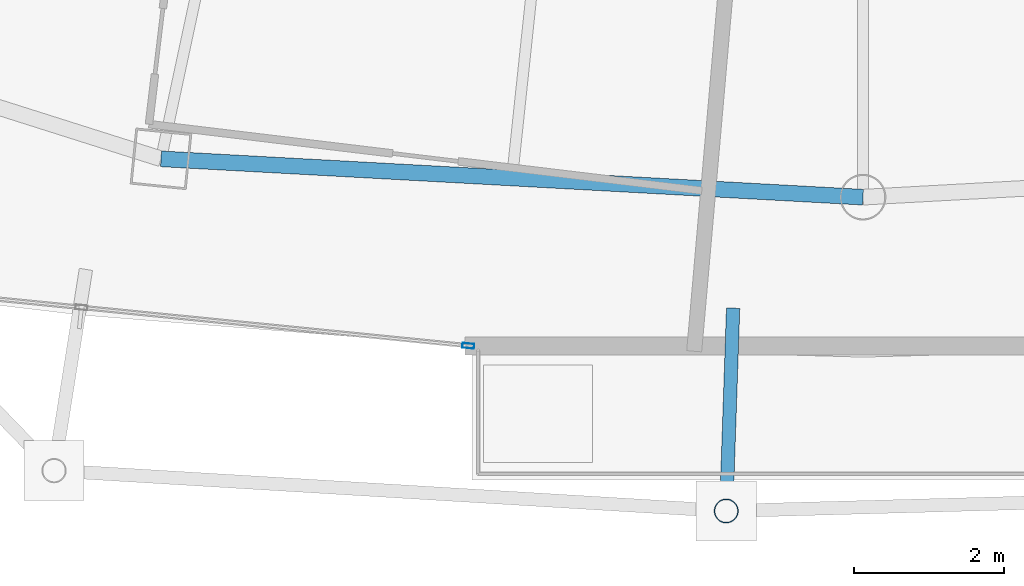
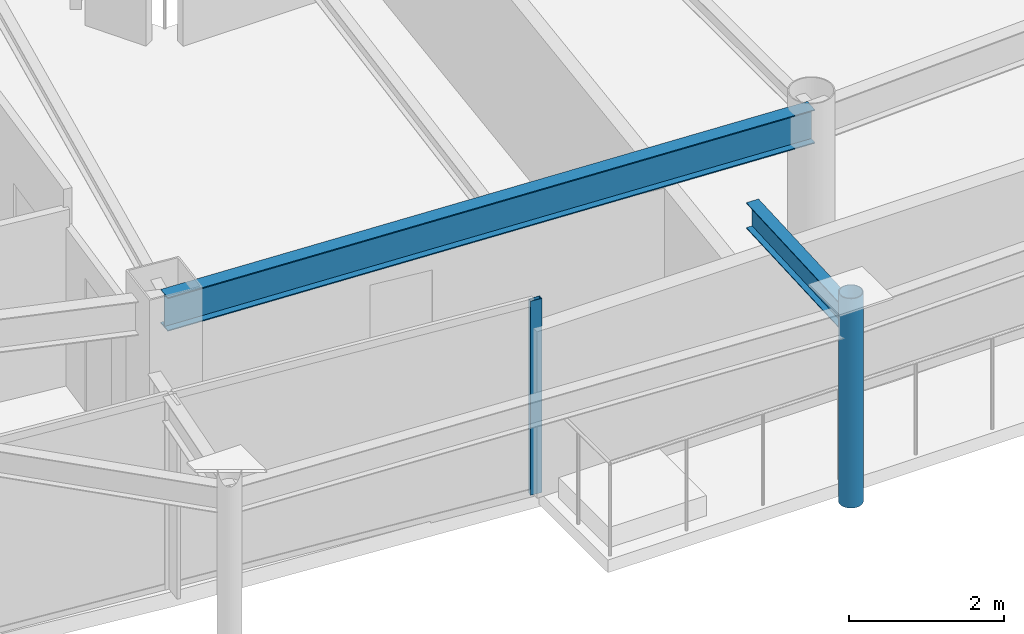
# One storey, part 7 of 32: 2 beams, 2 members, 1 element without a shape of its own.
"""IFC4 building model written with IfcOpenShell, lengths in metres."""

from ifc_helpers import new_model, si_unit, direction, frame, origin, origin_2d, place, context, subcontext, project, spatial, hollow_rectangle, hollow_circle, i_section, extrude, material, layer, layer_set, material_profile, profile_set, type_object, element, aggregate, save


model = new_model("IFC4")

# Units and contexts
model_context = context("Model", 3, precision=1e-05, world=origin(), true_north=direction((0.0, 1.0)))
body_context = subcontext(model_context, "Body", "Model", "MODEL_VIEW")
ifc_project = project(units=[si_unit("LENGTHUNIT", "METRE"), si_unit("AREAUNIT", "SQUARE_METRE"), si_unit("VOLUMEUNIT", "CUBIC_METRE"), si_unit("PLANEANGLEUNIT", "RADIAN"), si_unit("MASSUNIT", "GRAM", prefix="KILO")], contexts=[model_context])

# Site, building, storey
site_placement = place(None, origin())
site = spatial("IfcSite", under=ifc_project, at=site_placement, CompositionType="ELEMENT")
building_placement = place(site_placement, origin())
building = spatial("IfcBuilding", under=site, at=building_placement, Name="Orvanel Arch Residences", CompositionType="ELEMENT")
storey_placement = place(building_placement, frame((0.0, 0.0, 222.800048828125)))
storey = spatial("IfcBuildingStorey", under=building, at=storey_placement, Name="L63", CompositionType="ELEMENT", Elevation=222.800048828125)

# Curtain wall, member
ifc_material_1 = material(Name="Bronze-anodised aluminium AA6063-T6", Category="aluminium")
ifc_layer = layer(ifc_material_1, 0.175048828125)
ifc_layer_set = layer_set([ifc_layer], Name="Bronze-anodised aluminium AA6063-T6")
curtain_wall_type = type_object("IfcCurtainWallType", Name="CW4-HI-SYS", PredefinedType="NOTDEFINED", material=ifc_layer_set)
curtain_wall_placement = place(storey_placement, origin())
curtain_wall = element("IfcCurtainWall", 1, at=curtain_wall_placement, inside=storey, type_object=curtain_wall_type, Name="L63 CW4-HI-SYS Unitised Curtain Wall", PredefinedType="NOTDEFINED")
ifc_material_profile_1 = material_profile(ifc_material_1, hollow_rectangle(XDim=0.06494140625, YDim=0.159912109375, WallThickness=0.00390625, at=origin_2d()), Name="ALU160x65x4")
ifc_profile_set_1 = profile_set([ifc_material_profile_1], Name="Bronze-anodised aluminium AA6063-T6")
member_type_1 = type_object("IfcMemberType", Name="MUL-160x65", PredefinedType="MULLION", material=ifc_profile_set_1)
member_1_placement = place(storey_placement, frame((27.74169921875, 4.8642578125, 0.0), z_axis=(0.0, 0.0, 1.0), x_axis=(0.098838628636, 0.995103474765, 0.0)))
member_1 = element("IfcMember", 2, at=member_1_placement, type_object=member_type_1, Name="CW-S4 mullion 3", PredefinedType="MULLION", context=body_context, shape_type="SweptSolid", body=[
    extrude(hollow_rectangle(XDim=0.06494140625, YDim=0.159912109375, WallThickness=0.00390625, at=origin_2d()), origin(), (0.0, 0.0, 1.0), 3.06005859375),
])
aggregate(curtain_wall, [member_1])

# Beams
ifc_material_2 = material(Name="Structural steel AS/NZS 3679.1 Grade 300 (300 MPa)", Category="steel")
ifc_material_profile_2 = material_profile(ifc_material_2, i_section(OverallWidth=0.177978515625, OverallDepth=0.406005859375, WebThickness=0.0078125, FlangeThickness=0.0126953125, at=origin_2d()), Name="410UB59.7")
ifc_profile_set_2 = profile_set([ifc_material_profile_2], Name="Structural steel AS/NZS 3679.1 Grade 300 (300 MPa)")
beam_type_1 = type_object("IfcBeamType", Name="OB-410UB-EXT", PredefinedType="SPANDREL", material=ifc_profile_set_2)
beam_1_placement = place(storey_placement, frame((31.27001953125, 5.365966796875, 2.85693359375), z_axis=(-0.034045490843, -0.999420284241, 0.0), x_axis=(0.999420284241, -0.034045490843, 0.0)))
element("IfcBeam", 3, at=beam_1_placement, inside=storey, type_object=beam_type_1, Name="L63 Outer Frame Radial Tie Beam 06", PredefinedType="SPANDREL", context=body_context, shape_type="SweptSolid", body=[
    extrude(i_section(OverallWidth=0.177978515625, OverallDepth=0.406005859375, WebThickness=0.0078125, FlangeThickness=0.0126953125, at=origin_2d()), origin(), (0.0, 0.0, 1.0), 2.703369140625),
])
ifc_material_profile_3 = material_profile(ifc_material_2, i_section(OverallWidth=0.208984375, OverallDepth=0.532958984375, WebThickness=0.01025390625, FlangeThickness=0.015625, at=origin_2d()), Name="530UB92.4")
ifc_profile_set_3 = profile_set([ifc_material_profile_3], Name="Structural steel AS/NZS 3679.1 Grade 300 (300 MPa)")
beam_type_2 = type_object("IfcBeamType", Name="SP-530UB", PredefinedType="SPANDREL", material=ifc_profile_set_3)
beam_2_placement = place(storey_placement, frame((23.64892578125, 7.35498046875, 2.7939453125), z_axis=(0.998510315598, -0.054563262768, 0.0), x_axis=(0.054563262768, 0.998510315598, 0.0)))
element("IfcBeam", 4, at=beam_2_placement, inside=storey, type_object=beam_type_2, Name="L63 Perimeter Spandrel Beam 03", PredefinedType="SPANDREL", context=body_context, shape_type="SweptSolid", body=[
    extrude(i_section(OverallWidth=0.208984375, OverallDepth=0.532958984375, WebThickness=0.01025390625, FlangeThickness=0.015625, at=origin_2d()), origin(), (0.0, 0.0, 1.0), 9.364990234375),
])

# Member
ifc_material_3 = material(Name="Structural steel AS/NZS 1163 C350L0 (Grade 350)", Category="steel")
ifc_material_profile_4 = material_profile(ifc_material_3, hollow_circle(Radius=0.162109375, WallThickness=0.0126953125, at=origin_2d()), Name="CHS324x12.7")
ifc_profile_set_4 = profile_set([ifc_material_profile_4], Name="Structural steel AS/NZS 1163 C350L0 (Grade 350)")
member_type_2 = type_object("IfcMemberType", Name="ST-324CHS-EXT", PredefinedType="STRUT", material=ifc_profile_set_4)
member_2_placement = place(storey_placement, frame((31.177978515625, 2.6640625, 0.0), z_axis=(0.0, 0.0, 1.0), x_axis=(1.0, 0.0, 0.0)))
element("IfcMember", 5, at=member_2_placement, inside=storey, type_object=member_type_2, Name="L63 Outer Perimeter Frame Post 06", PredefinedType="STRUT", context=body_context, shape_type="SweptSolid", body=[
    extrude(hollow_circle(Radius=0.162109375, WallThickness=0.0126953125, at=origin_2d()), origin(), (0.0, 0.0, 1.0), 3.300048828125),
])

save(model, "model.ifc")
